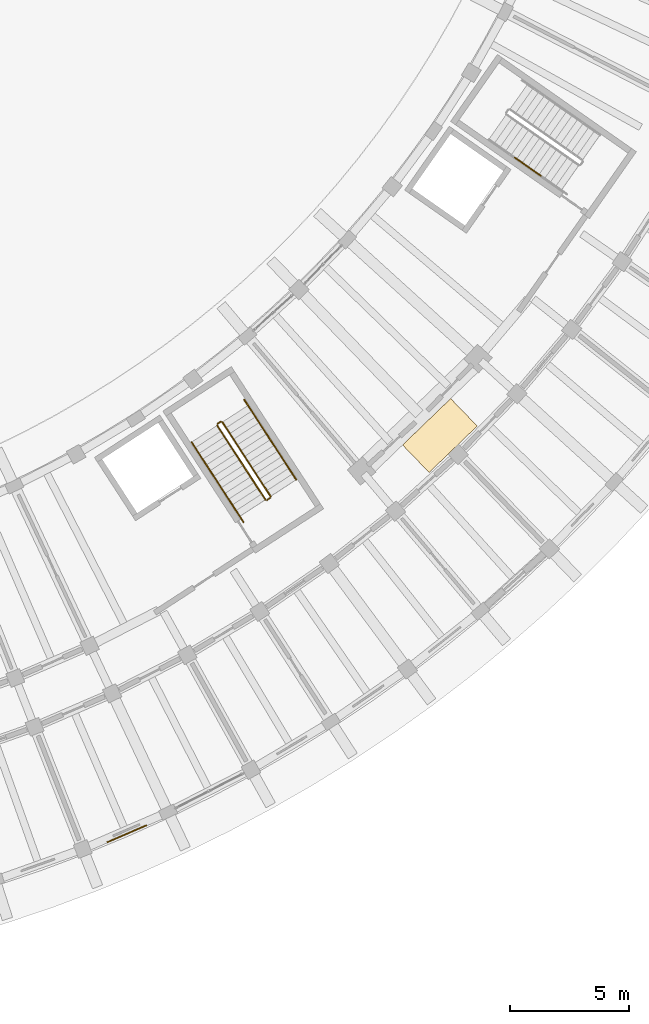
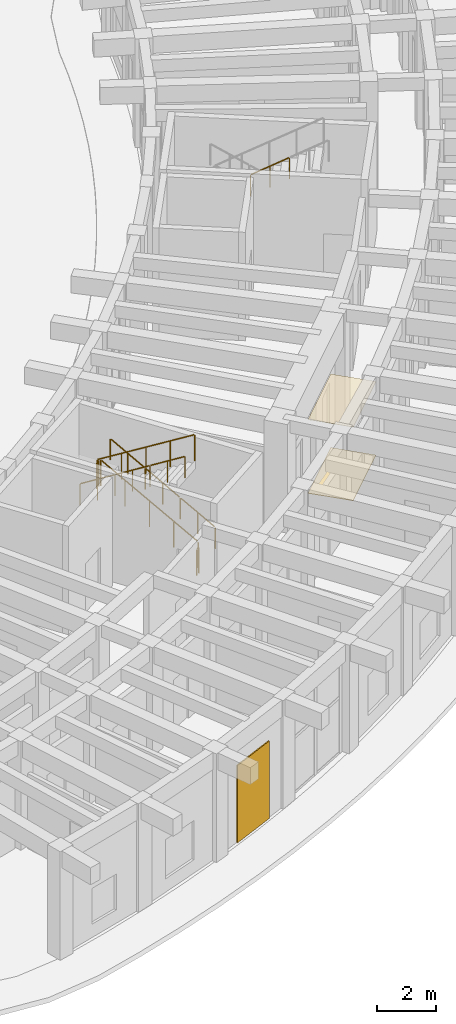
# One storey, part 128 of 132: 11 railings, 3 coverings.
"""IFC4 building model written with IfcOpenShell, lengths in metres."""

import ifcopenshell
import ifcopenshell.guid

model = None  # the IFC model being written
_history = None  # IfcOwnerHistory: only IFC2X3 demands one
_inside = {}  # id of a spatial element -> (the spatial element, [elements in it])
_under = {}  # id of a project, library or spatial element -> (it, [spatial elements below it])
_declared = {}  # id of a project -> (the project, [libraries it declares])
_typed = {}  # id of a type object -> (the type object, [elements of that type])
_made_of = {}  # id of a material, layer set ... -> (it, [elements and type objects made of it])


def new_model(schema):
    """Start an empty IFC model of exactly this schema.

    Asked for "IFC4X3", IfcOpenShell would pick the latest addendum, in which some entities
    have other attributes; the version numbers below select the first issue.
    IFC2X3 requires an IfcOwnerHistory on every rooted entity: one is made here for all.
    """
    global model, _history
    if schema == "IFC4X3":
        model = ifcopenshell.file(schema_version=(4, 3, 0, 0))
    else:
        model = ifcopenshell.file(schema=schema)
    _inside.clear()
    _under.clear()
    _declared.clear()
    _typed.clear()
    _made_of.clear()
    _history = None
    if model.schema == "IFC2X3":
        org = make("IfcOrganization", Name="unknown")
        user = make(
            "IfcPersonAndOrganization",
            ThePerson=make("IfcPerson", FamilyName="unknown"),
            TheOrganization=org,
        )
        app = make(
            "IfcApplication",
            ApplicationDeveloper=org,
            Version="unknown",
            ApplicationFullName="unknown",
            ApplicationIdentifier="unknown",
        )
        _history = make(
            "IfcOwnerHistory",
            OwningUser=user,
            OwningApplication=app,
            ChangeAction="ADDED",
            CreationDate=0,
        )
    return model


def make(cls, **values):
    """One entity of the class cls with the attributes given. An attribute that is None is left unset."""
    return model.create_entity(
        cls, **{name: value for name, value in values.items() if value is not None}
    )


def rooted(cls, **values):
    """An entity with a GlobalId (a new one), such as an element, a storey or a relation."""
    return make(cls, GlobalId=ifcopenshell.guid.new(), OwnerHistory=_history, **values)


def si_unit(unit_type, name, prefix=None):
    """IfcSIUnit, for example si_unit("LENGTHUNIT", "METRE", prefix="MILLI")."""
    return make("IfcSIUnit", UnitType=unit_type, Prefix=prefix, Name=name)


def assignment(units):
    """IfcUnitAssignment: the units of a project."""
    return None if units is None else make("IfcUnitAssignment", Units=units)


def point(xyz):
    """IfcCartesianPoint."""
    return None if xyz is None else make("IfcCartesianPoint", Coordinates=xyz)


def direction(xyz):
    """IfcDirection."""
    return None if xyz is None else make("IfcDirection", DirectionRatios=xyz)


def frame(location, z_axis=None, x_axis=None):
    """IfcAxis2Placement3D, a coordinate frame: its origin and axes. An axis left out is left unset."""
    return make(
        "IfcAxis2Placement3D",
        Location=point(location),
        Axis=direction(z_axis),
        RefDirection=direction(x_axis),
    )


def frame_2d(location, x_axis=None):
    """IfcAxis2Placement2D, a coordinate frame in the plane: its origin and x axis."""
    return make(
        "IfcAxis2Placement2D", Location=point(location), RefDirection=direction(x_axis)
    )


def origin():
    """The frame at (0, 0, 0) with its axes left unset."""
    return frame((0.0, 0.0, 0.0))


def origin_2d():
    """The frame at (0, 0) in the plane with its x axis left unset."""
    return frame_2d((0.0, 0.0))


def place(relative_to, where):
    """IfcLocalPlacement: puts the frame where relative to a parent placement (None: the world)."""
    return make(
        "IfcLocalPlacement", PlacementRelTo=relative_to, RelativePlacement=where
    )


def context(
    kind, dimensions, precision=None, world=None, true_north=None, identifier=None
):
    """IfcGeometricRepresentationContext, for example the 3D "Model" context."""
    return make(
        "IfcGeometricRepresentationContext",
        ContextIdentifier=identifier,
        ContextType=kind,
        CoordinateSpaceDimension=dimensions,
        Precision=precision,
        WorldCoordinateSystem=world,
        TrueNorth=true_north,
    )


def subcontext(parent, identifier, kind, view, scale=None):
    """IfcGeometricRepresentationSubContext, for example "Body" below "Model"."""
    return make(
        "IfcGeometricRepresentationSubContext",
        ContextIdentifier=identifier,
        ContextType=kind,
        ParentContext=parent,
        TargetScale=scale,
        TargetView=view,
    )


def project(units=None, contexts=None):
    """IfcProject with its units and contexts."""
    return rooted(
        "IfcProject",
        Name="project",
        RepresentationContexts=contexts,
        UnitsInContext=assignment(units),
    )


def spatial(cls, under=None, at=None, **own):
    """A site, building, storey or space (cls), placed at a placement, below another one or the project."""
    s = rooted(cls, ObjectPlacement=at, **own)
    if under is not None:
        _under.setdefault(under.id(), (under, []))[1].append(s)
    return s


def profile(cls, at=None, kind="AREA", **sizes):
    """A parametric profile (cls). Its sizes go by their IFC names, for example OverallWidth=200.0."""
    return make(cls, ProfileType=kind, Position=at, **sizes)


def rectangle(**sizes):
    """IfcRectangleProfileDef."""
    return profile("IfcRectangleProfileDef", **sizes)


def circle(**sizes):
    """IfcCircleProfileDef."""
    return profile("IfcCircleProfileDef", **sizes)


def extrude(swept, where, along, depth):
    """IfcExtrudedAreaSolid: the profile swept, set in the frame where, extruded along a direction by depth."""
    return make(
        "IfcExtrudedAreaSolid",
        SweptArea=swept,
        Position=where,
        ExtrudedDirection=direction(along),
        Depth=depth,
    )


def shape(context_of_items, identifier, shape_type, items):
    """IfcShapeRepresentation: the items that make up one representation, for example the "Body"."""
    return make(
        "IfcShapeRepresentation",
        ContextOfItems=context_of_items,
        RepresentationIdentifier=identifier,
        RepresentationType=shape_type,
        Items=items,
    )


def material(Name=None, Category=None):
    """IfcMaterial."""
    return make("IfcMaterial", Name=Name, Category=Category)


def layer(
    of_material, thickness, ventilated=None, Name=None, Category=None, Priority=None
):
    """IfcMaterialLayer: one layer of a wall or slab, of a material (None: an air gap)."""
    return make(
        "IfcMaterialLayer",
        Material=of_material,
        LayerThickness=thickness,
        IsVentilated=ventilated,
        Name=Name,
        Category=Category,
        Priority=Priority,
    )


def layer_set(layers, Name=None):
    """IfcMaterialLayerSet."""
    return make("IfcMaterialLayerSet", MaterialLayers=layers, LayerSetName=Name)


def made_of(thing, what):
    """Note that an element or type object is made of a material, layer set ...; save() writes the relation."""
    if what is not None:
        _made_of.setdefault(what.id(), (what, []))[1].append(thing)
    return thing


def type_object(cls, material=None, **own):
    """A type object (cls), such as IfcWallType, which elements share."""
    return made_of(rooted(cls, **own), material)


def element(
    cls,
    number,
    at=None,
    inside=None,
    cuts=None,
    type_object=None,
    material=None,
    context=None,
    identifier="Body",
    shape_type=None,
    held_by="IfcProductDefinitionShape",
    body=None,
    shapes=None,
    **own,
):
    """One element of the class cls, such as IfcWall. Its Tag is "e" and its number.

    at: its placement. inside: the storey or other place that contains it. cuts: it is an
    opening in that element (IfcRelVoidsElement). A single representation is given by context,
    identifier, shape_type and body (its items); several are given by shapes. held_by: the class
    of the entity that holds the representations. save() writes the other relations.
    """
    e = rooted(cls, Tag="e%d" % number, ObjectPlacement=at, **own)
    if body is not None:
        shapes = [shape(context, identifier, shape_type, body)]
    if shapes is not None:
        e.Representation = make(held_by, Representations=shapes)
    if inside is not None:
        _inside.setdefault(inside.id(), (inside, []))[1].append(e)
    if cuts is not None:
        rooted(
            "IfcRelVoidsElement", RelatingBuildingElement=cuts, RelatedOpeningElement=e
        )
    if type_object is not None:
        _typed.setdefault(type_object.id(), (type_object, []))[1].append(e)
    return made_of(e, material)


def aggregate(whole, parts):
    """IfcRelAggregates: a whole, such as a stair, and the parts it consists of."""
    return rooted("IfcRelAggregates", RelatingObject=whole, RelatedObjects=parts)


def save(model, path):
    """Write the relations noted so far, then the file.

    IfcRelAggregates (storeys below a building ...), IfcRelContainedInSpatialStructure (elements
    in a storey), IfcRelDefinesByType, IfcRelAssociatesMaterial and IfcRelDeclares: one each for
    every whole, place, type object, material and project.
    """
    for whole, parts in _under.values():
        aggregate(whole, parts)
    for where, things in _inside.values():
        rooted(
            "IfcRelContainedInSpatialStructure",
            RelatedElements=things,
            RelatingStructure=where,
        )
    for kind, things in _typed.values():
        rooted("IfcRelDefinesByType", RelatedObjects=things, RelatingType=kind)
    for what, things in _made_of.values():
        rooted("IfcRelAssociatesMaterial", RelatedObjects=things, RelatingMaterial=what)
    for by, libraries in _declared.values():
        rooted("IfcRelDeclares", RelatingContext=by, RelatedDefinitions=libraries)
    model.write(path)


model = new_model("IFC4")

# Units and contexts
model_context = context("Model", 3, precision=1e-05, world=origin(), true_north=direction((0.0, 1.0)))
body_context = subcontext(model_context, "Body", "Model", "MODEL_VIEW")
ifc_project = project(units=[si_unit("LENGTHUNIT", "METRE"), si_unit("AREAUNIT", "SQUARE_METRE"), si_unit("VOLUMEUNIT", "CUBIC_METRE"), si_unit("PLANEANGLEUNIT", "RADIAN"), si_unit("MASSUNIT", "GRAM", prefix="KILO")], contexts=[model_context])

# Site, building, storey
site_placement = place(None, origin())
site = spatial("IfcSite", under=ifc_project, at=site_placement, CompositionType="ELEMENT")
building_placement = place(site_placement, origin())
building = spatial("IfcBuilding", under=site, at=building_placement, Name="Tanwirah Colonnade Gardens", CompositionType="ELEMENT")
storey_placement = place(building_placement, origin())
storey = spatial("IfcBuildingStorey", under=building, at=storey_placement, Name="L00", CompositionType="ELEMENT", Elevation=0.0)

# Coverings
ifc_material_1 = material(Name="Acoustic perforated gypsum ceiling board")
ifc_layer_1 = layer(ifc_material_1, 0.014892578125)
ifc_layer_set_1 = layer_set([ifc_layer_1], Name="Acoustic perforated gypsum ceiling board")
covering_type_1 = type_object("IfcCoveringType", Name="COV-CEIL15", PredefinedType="CEILING", material=ifc_layer_set_1)
covering_1_placement = place(storey_placement, frame((157.7822265625, 26.410888671875, 3.04248046875), z_axis=(0.0, 0.0, 1.0), x_axis=(0.719339800339, 0.694658370459, 0.0)))
element("IfcCovering", 1, at=covering_1_placement, inside=storey, type_object=covering_type_1, Name="Block D L00 Corridor Acoustic Ceiling", PredefinedType="CEILING", context=body_context, shape_type="SweptSolid", body=[
    extrude(rectangle(XDim=2.800048828125, YDim=1.60009765625, at=origin_2d()), origin(), (0.0, 0.0, 1.0), 0.014892578125),
])
ifc_material_2 = material(Name="Rusticated Abu Dhabi cream limestone cladding", Category="masonry")
ifc_layer_2 = layer(ifc_material_2, 0.044921875)
ifc_layer_set_2 = layer_set([ifc_layer_2], Name="Rusticated Abu Dhabi cream limestone cladding")
covering_type_2 = type_object("IfcCoveringType", Name="COV-CLAD45", PredefinedType="CLADDING", material=ifc_layer_set_2)
covering_2_placement = place(storey_placement, frame((144.67236328125, 9.730712890625, 0.0), z_axis=(0.0, 0.0, 1.0), x_axis=(0.917927834666, 0.396747388579, 0.0)))
element("IfcCovering", 2, at=covering_2_placement, inside=storey, type_object=covering_type_2, Name="Block D Base Limestone Rusticated Cladding", PredefinedType="CLADDING", context=body_context, shape_type="SweptSolid", body=[
    extrude(rectangle(XDim=1.800048828125, YDim=0.044921875, at=origin_2d()), origin(), (0.0, 0.0, 1.0), 3.199951171875),
])
ifc_material_3 = material(Name="Honed Abu Dhabi limestone terrazzo flooring", Category="masonry")
ifc_layer_3 = layer(ifc_material_3, 0.02001953125)
ifc_layer_set_3 = layer_set([ifc_layer_3], Name="Honed Abu Dhabi limestone terrazzo flooring")
covering_type_3 = type_object("IfcCoveringType", Name="COV-FLR20", PredefinedType="FLOORING", material=ifc_layer_set_3)
covering_3_placement = place(storey_placement, frame((157.7822265625, 26.410888671875, 0.0), z_axis=(0.0, 0.0, 1.0), x_axis=(0.719339800339, 0.694658370459, 0.0)))
element("IfcCovering", 3, at=covering_3_placement, inside=storey, type_object=covering_type_3, Name="Block D L00 Corridor Terrazzo Flooring", PredefinedType="FLOORING", context=body_context, shape_type="SweptSolid", body=[
    extrude(rectangle(XDim=2.800048828125, YDim=1.60009765625, at=origin_2d()), origin(), (0.0, 0.0, 1.0), 0.02001953125),
])

# Railings
ifc_material_4 = material(Name="Powder-coated galvanized steel", Category="steel")
railing_type_1 = type_object("IfcRailingType", Name="GRD-ST110", PredefinedType="GUARDRAIL", material=ifc_material_4)
railing_1_placement = place(storey_placement, frame((150.691162109375, 23.865478515625, 0.169921875)))
element("IfcRailing", 4, at=railing_1_placement, inside=storey, type_object=railing_type_1, Name="L00 ST-D1 stair guard 1", PredefinedType="GUARDRAIL", context=body_context, shape_type="SweptSolid", body=[
    extrude(circle(Radius=0.02392578125, at=origin_2d()), frame((-0.0146484375, 0.0224609375, 1.092041015625), z_axis=(-0.46774451369, 0.720264298335, 0.51228352546), x_axis=(-0.838670882147, -0.544638551186, 0.0)), (0.0, 0.0, 1.0), 4.25146484375),
    extrude(circle(Radius=0.02099609375, at=origin_2d()), origin(), (0.0, 0.0, 1.0), 1.049072265625),
    extrude(circle(Radius=0.02099609375, at=origin_2d()), frame((-0.50439453125, 0.77685546875, 0.552490234375)), (0.0, 0.0, 1.0), 1.049072265625),
    extrude(circle(Radius=0.02099609375, at=origin_2d()), frame((-1.0087890625, 1.5537109375, 1.10498046875)), (0.0, 0.0, 1.0), 1.049072265625),
    extrude(circle(Radius=0.02099609375, at=origin_2d()), frame((-1.513427734375, 2.330322265625, 1.657470703125)), (0.0, 0.0, 1.0), 1.049072265625),
    extrude(circle(Radius=0.02099609375, at=origin_2d()), frame((-2.017822265625, 3.107177734375, 2.2099609375)), (0.0, 0.0, 1.0), 1.049072265625),
])
railing_2_placement = place(storey_placement, frame((148.604248046875, 26.987548828125, 2.3798828125)))
element("IfcRailing", 5, at=railing_2_placement, inside=storey, type_object=railing_type_1, Name="L00 ST-D1 stair guard 2", PredefinedType="GUARDRAIL", context=body_context, shape_type="SweptSolid", body=[
    extrude(circle(Radius=0.02392578125, at=origin_2d()), frame((-0.026123046875, -0.01708984375, 1.076171875), z_axis=(-0.838791880614, -0.544452184326, 0.0), x_axis=(0.544452184326, -0.838791880614, 0.0)), (0.0, 0.0, 1.0), 0.09765625),
    extrude(circle(Radius=0.02099609375, at=origin_2d()), origin(), (0.0, 0.0, 1.0), 1.049072265625),
    extrude(circle(Radius=0.02099609375, at=origin_2d()), frame((-0.13427734375, -0.087158203125, 0.0)), (0.0, 0.0, 1.0), 1.049072265625),
])
railing_3_placement = place(storey_placement, frame((148.455322265625, 26.8310546875, 2.550048828125)))
element("IfcRailing", 6, at=railing_3_placement, inside=storey, type_object=railing_type_1, Name="L00 ST-D1 stair guard 3", PredefinedType="GUARDRAIL", context=body_context, shape_type="SweptSolid", body=[
    extrude(circle(Radius=0.02392578125, at=origin_2d()), frame((0.0146484375, -0.0224609375, 1.092041015625), z_axis=(0.46774451369, -0.720264298335, 0.51228352546), x_axis=(0.838670882147, 0.544638551186, 0.0)), (0.0, 0.0, 1.0), 4.25146484375),
    extrude(circle(Radius=0.02099609375, at=origin_2d()), origin(), (0.0, 0.0, 1.0), 1.049072265625),
    extrude(circle(Radius=0.02099609375, at=origin_2d()), frame((0.50439453125, -0.77685546875, 0.552490234375)), (0.0, 0.0, 1.0), 1.049072265625),
    extrude(circle(Radius=0.02099609375, at=origin_2d()), frame((1.0087890625, -1.5537109375, 1.10498046875)), (0.0, 0.0, 1.0), 1.049072265625),
    extrude(circle(Radius=0.02099609375, at=origin_2d()), frame((1.513427734375, -2.330322265625, 1.657470703125)), (0.0, 0.0, 1.0), 1.049072265625),
    extrude(circle(Radius=0.02099609375, at=origin_2d()), frame((2.017822265625, -3.107177734375, 2.2099609375)), (0.0, 0.0, 1.0), 1.049072265625),
])
railing_4_placement = place(storey_placement, frame((150.676513671875, 23.79638671875, 0.0)))
element("IfcRailing", 7, at=railing_4_placement, inside=storey, type_object=railing_type_1, Name="L00 ST-D1 stair guard 4", PredefinedType="GUARDRAIL", context=body_context, shape_type="SweptSolid", body=[
    extrude(circle(Radius=0.02392578125, at=origin_2d()), frame((-0.026123046875, -0.01708984375, 1.076171875), z_axis=(-0.838791880614, -0.544452184326, 0.0), x_axis=(0.544452184326, -0.838791880614, 0.0)), (0.0, 0.0, 1.0), 0.09765625),
    extrude(circle(Radius=0.02099609375, at=origin_2d()), origin(), (0.0, 0.0, 1.0), 1.049072265625),
    extrude(circle(Radius=0.02099609375, at=origin_2d()), frame((-0.13427734375, -0.087158203125, 0.0)), (0.0, 0.0, 1.0), 1.049072265625),
])
ifc_material_5 = material(Name="Brushed bronze stainless steel", Category="steel")
railing_type_2 = type_object("IfcRailingType", Name="HR-ST090", PredefinedType="HANDRAIL", material=ifc_material_5)
for number, where, name in (
    (8, (151.7646484375, 24.5625, 0.169921875), "L00 ST-D1 stair handrail 1"),
    (9, (151.040283203125, 25.677978515625, 0.96923828125), "L00 ST-D1 stair handrail 2"),
):
    element("IfcRailing", number, at=place(storey_placement, frame(where)), inside=storey, type_object=railing_type_2, Name=name, PredefinedType="HANDRAIL", context=body_context, shape_type="SweptSolid", body=[
        extrude(circle(Radius=0.02392578125, at=origin_2d()), frame((-0.0146484375, 0.0224609375, 0.891845703125), z_axis=(-0.466807700569, 0.718855538895, 0.51510900292), x_axis=(-0.838682582155, -0.544620534308, 0.0)), (0.0, 0.0, 1.0), 1.4892578125),
        extrude(circle(Radius=0.02099609375, at=origin_2d()), origin(), (0.0, 0.0, 1.0), 0.848876953125),
        extrude(circle(Radius=0.02099609375, at=origin_2d()), frame((-0.3623046875, 0.5576171875, 0.399658203125)), (0.0, 0.0, 1.0), 0.848876953125),
        extrude(circle(Radius=0.02099609375, at=origin_2d()), frame((-0.724365234375, 1.115478515625, 0.79931640625)), (0.0, 0.0, 1.0), 0.848876953125),
    ])
railing_5_placement = place(storey_placement, frame((150.31591796875, 26.79345703125, 1.7685546875)))
element("IfcRailing", 10, at=railing_5_placement, inside=storey, type_object=railing_type_2, Name="L00 ST-D1 stair handrail 3", PredefinedType="HANDRAIL", context=body_context, shape_type="SweptSolid", body=[
    extrude(circle(Radius=0.02392578125, at=origin_2d()), frame((-0.0146484375, 0.0224609375, 0.891845703125), z_axis=(-0.466769867538, 0.718797278322, 0.515224575729), x_axis=(-0.838682582155, -0.544620534308, 0.0)), (0.0, 0.0, 1.0), 1.4892578125),
    extrude(circle(Radius=0.02099609375, at=origin_2d()), origin(), (0.0, 0.0, 1.0), 0.848876953125),
    extrude(circle(Radius=0.02099609375, at=origin_2d()), frame((-0.3623046875, 0.5576171875, 0.39990234375)), (0.0, 0.0, 1.0), 0.848876953125),
    extrude(circle(Radius=0.02099609375, at=origin_2d()), frame((-0.724365234375, 1.115478515625, 0.799560546875)), (0.0, 0.0, 1.0), 0.848876953125),
])
for number, where, name in (
    (11, (147.3818359375, 26.134033203125, 2.550048828125), "L00 ST-D1 stair handrail 4"),
    (12, (148.106201171875, 25.0185546875, 3.349365234375), "L00 ST-D1 stair handrail 5"),
    (13, (148.83056640625, 23.903076171875, 4.148681640625), "L00 ST-D1 stair handrail 6"),
):
    element("IfcRailing", number, at=place(storey_placement, frame(where)), inside=storey, type_object=railing_type_2, Name=name, PredefinedType="HANDRAIL", context=body_context, shape_type="SweptSolid", body=[
        extrude(circle(Radius=0.02392578125, at=origin_2d()), frame((0.0146484375, -0.0224609375, 0.891845703125), z_axis=(0.466807700569, -0.718855538895, 0.51510900292), x_axis=(0.838682582155, 0.544620534308, 0.0)), (0.0, 0.0, 1.0), 1.4892578125),
        extrude(circle(Radius=0.02099609375, at=origin_2d()), origin(), (0.0, 0.0, 1.0), 0.848876953125),
        extrude(circle(Radius=0.02099609375, at=origin_2d()), frame((0.3623046875, -0.5576171875, 0.399658203125)), (0.0, 0.0, 1.0), 0.848876953125),
        extrude(circle(Radius=0.02099609375, at=origin_2d()), frame((0.724365234375, -1.115478515625, 0.79931640625)), (0.0, 0.0, 1.0), 0.848876953125),
    ])
railing_6_placement = place(storey_placement, frame((160.92236328125, 38.047607421875, 3.349365234375)))
element("IfcRailing", 14, at=railing_6_placement, inside=storey, type_object=railing_type_2, Name="L00 ST-D2 stair handrail 5", PredefinedType="HANDRAIL", context=body_context, shape_type="SweptSolid", body=[
    extrude(circle(Radius=0.02392578125, at=origin_2d()), frame((0.02197265625, -0.015380859375, 0.891845703125), z_axis=(0.702133515204, -0.491635051538, 0.515076210795), x_axis=(0.573573204268, 0.819154307408, 0.0)), (0.0, 0.0, 1.0), 1.4892578125),
    extrude(circle(Radius=0.02099609375, at=origin_2d()), origin(), (0.0, 0.0, 1.0), 0.848876953125),
    extrude(circle(Radius=0.02099609375, at=origin_2d()), frame((0.544921875, -0.38134765625, 0.399658203125)), (0.0, 0.0, 1.0), 0.848876953125),
    extrude(circle(Radius=0.02099609375, at=origin_2d()), frame((1.089599609375, -0.762939453125, 0.79931640625)), (0.0, 0.0, 1.0), 0.848876953125),
])

save(model, "model.ifc")
